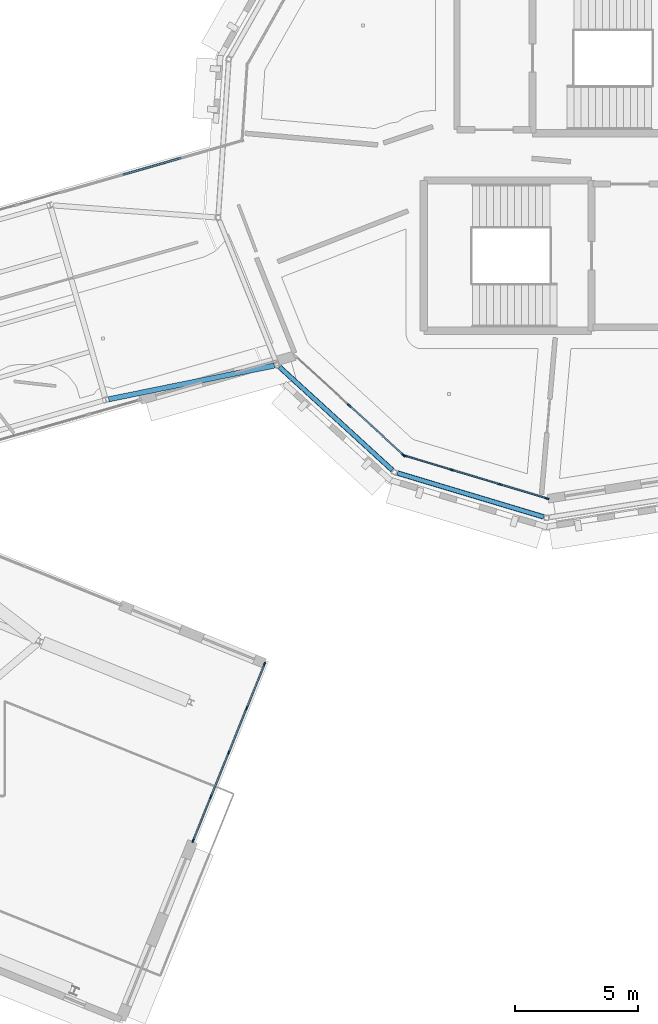
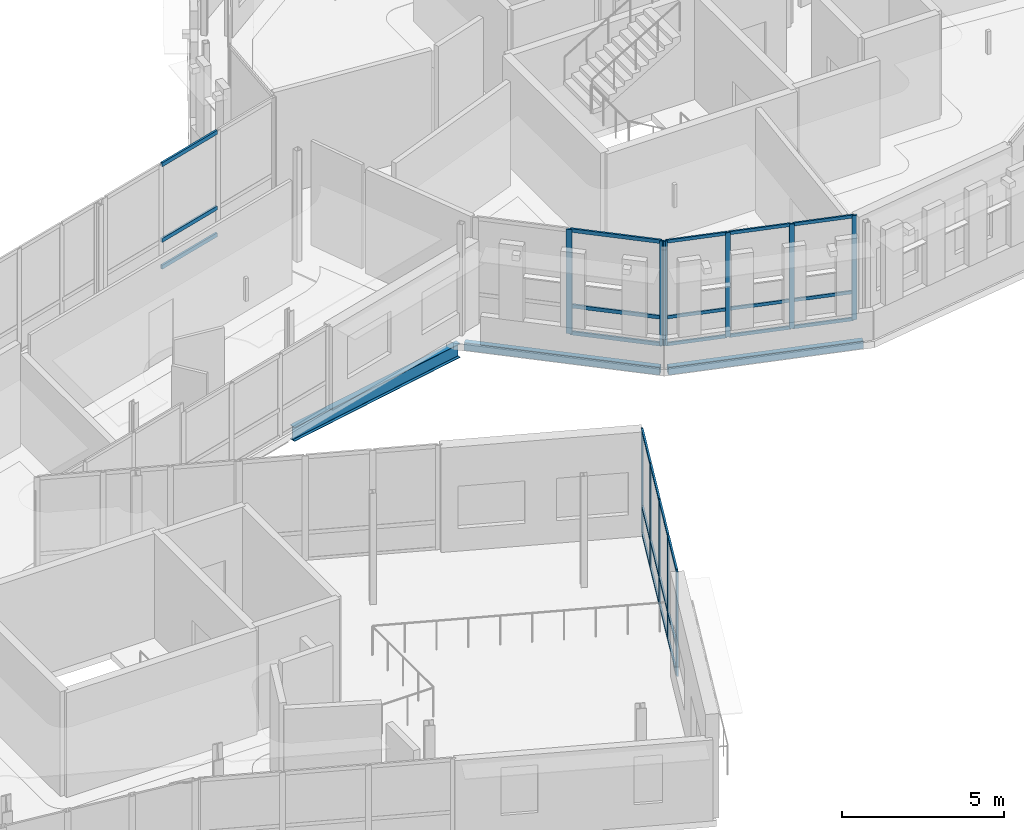
# One storey, part 47 of 125: 38 members, 3 beams, 4 elements without a shape of their own.
"""IFC4 building model written with IfcOpenShell, lengths in metres."""

from ifc_helpers import new_model, si_unit, direction, frame, origin, origin_2d, place, context, subcontext, project, spatial, rectangle, hollow_rectangle, i_section, extrude, material, material_profile, profile_set, type_object, element, aggregate, save


model = new_model("IFC4")

# Units and contexts
model_context = context("Model", 3, precision=1e-05, world=origin(), true_north=direction((0.0, 1.0)))
body_context = subcontext(model_context, "Body", "Model", "MODEL_VIEW")
ifc_project = project(units=[si_unit("LENGTHUNIT", "METRE"), si_unit("AREAUNIT", "SQUARE_METRE"), si_unit("VOLUMEUNIT", "CUBIC_METRE"), si_unit("PLANEANGLEUNIT", "RADIAN"), si_unit("MASSUNIT", "GRAM", prefix="KILO")], contexts=[model_context])

# Site, building, storey
site_placement = place(None, origin())
site = spatial("IfcSite", under=ifc_project, at=site_placement, CompositionType="ELEMENT")
building_placement = place(site_placement, origin())
building = spatial("IfcBuilding", under=site, at=building_placement, Name="Wrenclough Park School", CompositionType="ELEMENT")
storey_placement = place(building_placement, frame((0.0, 0.0, 4.199951171875)))
storey = spatial("IfcBuildingStorey", under=building, at=storey_placement, Name="L01", CompositionType="ELEMENT", Elevation=4.199951171875)

# Curtain wall, members
ifc_material_1 = material(Name="Thermally broken aluminium and low-e glass curtain wall", Category="aluminium")
curtain_wall_type_1 = type_object("IfcCurtainWallType", Name="ENV-CW-09", PredefinedType="USERDEFINED", material=ifc_material_1)
curtain_wall_1_placement = place(storey_placement, origin())
curtain_wall_1 = element("IfcCurtainWall", 1, at=curtain_wall_1_placement, inside=storey, type_object=curtain_wall_type_1, Name="L01 recessed curtain wall assembly 168", ObjectType="CURTAIN WALL", PredefinedType="USERDEFINED")
ifc_material_2 = material(Name="Thermally broken anodised aluminium", Category="aluminium")
ifc_material_profile_1 = material_profile(ifc_material_2, rectangle(XDim=0.06005859375, YDim=0.159912109375, at=origin_2d()), Name="AL MULLION 60x160")
ifc_profile_set_1 = profile_set([ifc_material_profile_1], Name="Thermally broken anodised aluminium")
member_type_1 = type_object("IfcMemberType", Name="ENV-CWM-1", PredefinedType="MULLION", material=ifc_profile_set_1)
member_1_placement = place(storey_placement, frame((82.04736328125, 94.864013671875, 0.0), z_axis=(0.0, 0.0, 1.0), x_axis=(-0.287583325168, -0.957755621798, 0.0)))
member_1 = element("IfcMember", 2, at=member_1_placement, type_object=member_type_1, Name="CW-09 mullion 1", PredefinedType="MULLION", context=body_context, shape_type="SweptSolid", body=[
    extrude(rectangle(XDim=0.06005859375, YDim=0.159912109375, at=origin_2d()), origin(), (0.0, 0.0, 1.0), 3.93994140625),
])
member_2_placement = place(storey_placement, frame((80.135498046875, 95.43798828125, 0.0), z_axis=(0.0, 0.0, 1.0), x_axis=(-0.287583325168, -0.957755621798, 0.0)))
member_2 = element("IfcMember", 3, at=member_2_placement, type_object=member_type_1, Name="CW-09 mullion 2", PredefinedType="MULLION", context=body_context, shape_type="SweptSolid", body=[
    extrude(rectangle(XDim=0.06005859375, YDim=0.159912109375, at=origin_2d()), origin(), (0.0, 0.0, 1.0), 3.93994140625),
])
member_3_placement = place(storey_placement, frame((78.19482421875, 96.020751953125, 0.0), z_axis=(0.0, 0.0, 1.0), x_axis=(-0.287583325168, -0.957755621798, 0.0)))
member_3 = element("IfcMember", 4, at=member_3_placement, type_object=member_type_1, Name="CW-09 mullion 3", PredefinedType="MULLION", context=body_context, shape_type="SweptSolid", body=[
    extrude(rectangle(XDim=0.06005859375, YDim=0.159912109375, at=origin_2d()), origin(), (0.0, 0.0, 1.0), 3.93994140625),
])
member_4_placement = place(storey_placement, frame((76.282958984375, 96.5947265625, 0.0), z_axis=(0.0, 0.0, 1.0), x_axis=(-0.287583325168, -0.957755621798, 0.0)))
member_4 = element("IfcMember", 5, at=member_4_placement, type_object=member_type_1, Name="CW-09 mullion 4", PredefinedType="MULLION", context=body_context, shape_type="SweptSolid", body=[
    extrude(rectangle(XDim=0.06005859375, YDim=0.159912109375, at=origin_2d()), origin(), (0.0, 0.0, 1.0), 3.93994140625),
])

curtain_wall_type_2 = type_object("IfcCurtainWallType", Name="ENV-CW-15", PredefinedType="USERDEFINED", material=ifc_material_1)
curtain_wall_2_placement = place(storey_placement, origin())
curtain_wall_2 = element("IfcCurtainWall", 6, at=curtain_wall_2_placement, inside=storey, type_object=curtain_wall_type_2, Name="L01 recessed curtain wall assembly 174", ObjectType="CURTAIN WALL", PredefinedType="USERDEFINED")
member_5_placement = place(storey_placement, frame((70.60205078125, 88.15673828125, 0.0), z_axis=(0.0, 0.0, 1.0), x_axis=(0.92719070923, -0.374589627082, 0.0)))
member_5 = element("IfcMember", 7, at=member_5_placement, type_object=member_type_1, Name="CW-15 mullion 1", PredefinedType="MULLION", context=body_context, shape_type="SweptSolid", body=[
    extrude(rectangle(XDim=0.06005859375, YDim=0.159912109375, at=origin_2d()), origin(), (0.0, 0.0, 1.0), 3.93994140625),
])
member_6_placement = place(storey_placement, frame((69.88525390625, 86.383056640625, 0.0), z_axis=(0.0, 0.0, 1.0), x_axis=(0.92719070923, -0.374589627082, 0.0)))
member_6 = element("IfcMember", 8, at=member_6_placement, type_object=member_type_1, Name="CW-15 mullion 2", PredefinedType="MULLION", context=body_context, shape_type="SweptSolid", body=[
    extrude(rectangle(XDim=0.06005859375, YDim=0.159912109375, at=origin_2d()), origin(), (0.0, 0.0, 1.0), 3.93994140625),
])
member_7_placement = place(storey_placement, frame((69.157470703125, 84.58154296875, 0.0), z_axis=(0.0, 0.0, 1.0), x_axis=(0.92719070923, -0.374589627082, 0.0)))
member_7 = element("IfcMember", 9, at=member_7_placement, type_object=member_type_1, Name="CW-15 mullion 3", PredefinedType="MULLION", context=body_context, shape_type="SweptSolid", body=[
    extrude(rectangle(XDim=0.06005859375, YDim=0.159912109375, at=origin_2d()), origin(), (0.0, 0.0, 1.0), 3.93994140625),
])
member_8_placement = place(storey_placement, frame((68.4296875, 82.780029296875, 0.0), z_axis=(0.0, 0.0, 1.0), x_axis=(0.92719070923, -0.374589627082, 0.0)))
member_8 = element("IfcMember", 10, at=member_8_placement, type_object=member_type_1, Name="CW-15 mullion 4", PredefinedType="MULLION", context=body_context, shape_type="SweptSolid", body=[
    extrude(rectangle(XDim=0.06005859375, YDim=0.159912109375, at=origin_2d()), origin(), (0.0, 0.0, 1.0), 3.93994140625),
])
member_9_placement = place(storey_placement, frame((67.713134765625, 81.00634765625, 0.0), z_axis=(0.0, 0.0, 1.0), x_axis=(0.92719070923, -0.374589627082, 0.0)))
member_9 = element("IfcMember", 11, at=member_9_placement, type_object=member_type_1, Name="CW-15 mullion 5", PredefinedType="MULLION", context=body_context, shape_type="SweptSolid", body=[
    extrude(rectangle(XDim=0.06005859375, YDim=0.159912109375, at=origin_2d()), origin(), (0.0, 0.0, 1.0), 3.93994140625),
])

curtain_wall_type_3 = type_object("IfcCurtainWallType", Name="ENV-CW-10", PredefinedType="USERDEFINED", material=ifc_material_1)
curtain_wall_3_placement = place(storey_placement, origin())
curtain_wall_3 = element("IfcCurtainWall", 12, at=curtain_wall_3_placement, inside=storey, type_object=curtain_wall_type_3, Name="L01 recessed curtain wall assembly 169", ObjectType="CURTAIN WALL", PredefinedType="USERDEFINED")
ifc_material_profile_2 = material_profile(ifc_material_2, rectangle(XDim=0.06494140625, YDim=0.179931640625, at=origin_2d()), Name="AL MULLION 65x180")
ifc_profile_set_2 = profile_set([ifc_material_profile_2], Name="Thermally broken anodised aluminium")
member_type_2 = type_object("IfcMemberType", Name="ENV-CWM-2", PredefinedType="MULLION", material=ifc_profile_set_2)
member_10_placement = place(storey_placement, frame((76.2236328125, 96.629150390625, 0.0), z_axis=(0.0, 0.0, 1.0), x_axis=(-0.67466857393, -0.738120799972, 0.0)))
member_10 = element("IfcMember", 13, at=member_10_placement, type_object=member_type_2, Name="CW-10 mullion 1", PredefinedType="MULLION", context=body_context, shape_type="SweptSolid", body=[
    extrude(rectangle(XDim=0.06494140625, YDim=0.179931640625, at=origin_2d()), origin(), (0.0, 0.0, 1.0), 3.93994140625),
])
member_11_placement = place(storey_placement, frame((74.038330078125, 98.62646484375, 0.0), z_axis=(0.0, 0.0, 1.0), x_axis=(-0.67466857393, -0.738120799972, 0.0)))
member_11 = element("IfcMember", 14, at=member_11_placement, type_object=member_type_2, Name="CW-10 mullion 2", PredefinedType="MULLION", context=body_context, shape_type="SweptSolid", body=[
    extrude(rectangle(XDim=0.06494140625, YDim=0.179931640625, at=origin_2d()), origin(), (0.0, 0.0, 1.0), 3.93994140625),
])

# Member
ifc_material_profile_3 = material_profile(ifc_material_2, rectangle(XDim=0.06005859375, YDim=0.1201171875, at=origin_2d()), Name="AL TRANSOM 60x120")
ifc_profile_set_3 = profile_set([ifc_material_profile_3], Name="Thermally broken anodised aluminium")
member_type_3 = type_object("IfcMemberType", Name="ENV-CWT-1", PredefinedType="USERDEFINED", material=ifc_profile_set_3)
member_12_placement = place(storey_placement, frame((82.0185546875, 94.87255859375, 0.030029296875), z_axis=(-0.957739474596, 0.287637095662, 0.0), x_axis=(-0.287637095662, -0.957739474596, 0.0)))
member_12 = element("IfcMember", 15, at=member_12_placement, type_object=member_type_3, Name="CW-09 transom 1.1", ObjectType="TRANSOM", PredefinedType="USERDEFINED", context=body_context, shape_type="SweptSolid", body=[
    extrude(rectangle(XDim=0.06005859375, YDim=0.1201171875, at=origin_2d()), origin(), (0.0, 0.0, 1.0), 1.93603515625),
])

member_13_placement = place(storey_placement, frame((82.0185546875, 94.87255859375, 1.050048828125), z_axis=(-0.957739474596, 0.287637095662, 0.0), x_axis=(-0.287637095662, -0.957739474596, 0.0)))
member_13 = element("IfcMember", 16, at=member_13_placement, type_object=member_type_3, Name="CW-09 transom 1.2", ObjectType="TRANSOM", PredefinedType="USERDEFINED", context=body_context, shape_type="SweptSolid", body=[
    extrude(rectangle(XDim=0.06005859375, YDim=0.1201171875, at=origin_2d()), origin(), (0.0, 0.0, 1.0), 1.93603515625),
])

member_14_placement = place(storey_placement, frame((82.0185546875, 94.87255859375, 3.91015625), z_axis=(-0.957739474596, 0.287637095662, 0.0), x_axis=(-0.287637095662, -0.957739474596, 0.0)))
member_14 = element("IfcMember", 17, at=member_14_placement, type_object=member_type_3, Name="CW-09 transom 1.3", ObjectType="TRANSOM", PredefinedType="USERDEFINED", context=body_context, shape_type="SweptSolid", body=[
    extrude(rectangle(XDim=0.06005859375, YDim=0.1201171875, at=origin_2d()), origin(), (0.0, 0.0, 1.0), 1.93603515625),
])

member_15_placement = place(storey_placement, frame((80.106689453125, 95.446533203125, 0.030029296875), z_axis=(-0.957754485019, 0.287587111021, 0.0), x_axis=(-0.287587111021, -0.957754485019, 0.0)))
member_15 = element("IfcMember", 18, at=member_15_placement, type_object=member_type_3, Name="CW-09 transom 2.1", ObjectType="TRANSOM", PredefinedType="USERDEFINED", context=body_context, shape_type="SweptSolid", body=[
    extrude(rectangle(XDim=0.06005859375, YDim=0.1201171875, at=origin_2d()), origin(), (0.0, 0.0, 1.0), 1.966064453125),
])

member_16_placement = place(storey_placement, frame((80.106689453125, 95.446533203125, 1.050048828125), z_axis=(-0.957754485019, 0.287587111021, 0.0), x_axis=(-0.287587111021, -0.957754485019, 0.0)))
member_16 = element("IfcMember", 19, at=member_16_placement, type_object=member_type_3, Name="CW-09 transom 2.2", ObjectType="TRANSOM", PredefinedType="USERDEFINED", context=body_context, shape_type="SweptSolid", body=[
    extrude(rectangle(XDim=0.06005859375, YDim=0.1201171875, at=origin_2d()), origin(), (0.0, 0.0, 1.0), 1.966064453125),
])

member_17_placement = place(storey_placement, frame((80.106689453125, 95.446533203125, 3.91015625), z_axis=(-0.957754485019, 0.287587111021, 0.0), x_axis=(-0.287587111021, -0.957754485019, 0.0)))
member_17 = element("IfcMember", 20, at=member_17_placement, type_object=member_type_3, Name="CW-09 transom 2.3", ObjectType="TRANSOM", PredefinedType="USERDEFINED", context=body_context, shape_type="SweptSolid", body=[
    extrude(rectangle(XDim=0.06005859375, YDim=0.1201171875, at=origin_2d()), origin(), (0.0, 0.0, 1.0), 1.966064453125),
])

member_18_placement = place(storey_placement, frame((78.166259765625, 96.029296875, 0.030029296875), z_axis=(-0.957749905711, 0.287602361101, 0.0), x_axis=(-0.287602361101, -0.957749905711, 0.0)))
member_18 = element("IfcMember", 21, at=member_18_placement, type_object=member_type_3, Name="CW-09 transom 3.1", ObjectType="TRANSOM", PredefinedType="USERDEFINED", context=body_context, shape_type="SweptSolid", body=[
    extrude(rectangle(XDim=0.06005859375, YDim=0.1201171875, at=origin_2d()), origin(), (0.0, 0.0, 1.0), 1.936279296875),
])

member_19_placement = place(storey_placement, frame((78.166259765625, 96.029296875, 1.050048828125), z_axis=(-0.957749905711, 0.287602361101, 0.0), x_axis=(-0.287602361101, -0.957749905711, 0.0)))
member_19 = element("IfcMember", 22, at=member_19_placement, type_object=member_type_3, Name="CW-09 transom 3.2", ObjectType="TRANSOM", PredefinedType="USERDEFINED", context=body_context, shape_type="SweptSolid", body=[
    extrude(rectangle(XDim=0.06005859375, YDim=0.1201171875, at=origin_2d()), origin(), (0.0, 0.0, 1.0), 1.936279296875),
])

member_20_placement = place(storey_placement, frame((78.166259765625, 96.029296875, 3.91015625), z_axis=(-0.957749905711, 0.287602361101, 0.0), x_axis=(-0.287602361101, -0.957749905711, 0.0)))
member_20 = element("IfcMember", 23, at=member_20_placement, type_object=member_type_3, Name="CW-09 transom 3.3", ObjectType="TRANSOM", PredefinedType="USERDEFINED", context=body_context, shape_type="SweptSolid", body=[
    extrude(rectangle(XDim=0.06005859375, YDim=0.1201171875, at=origin_2d()), origin(), (0.0, 0.0, 1.0), 1.936279296875),
])

aggregate(curtain_wall_1, [member_1, member_2, member_3, member_4, member_12, member_13, member_14, member_15, member_16, member_17, member_18, member_19, member_20])

member_21_placement = place(storey_placement, frame((70.5908203125, 88.12890625, 0.030029296875), z_axis=(-0.374591579362, -0.927189920497, 0.0), x_axis=(0.927189920497, -0.374591579362, 0.0)))
member_21 = element("IfcMember", 24, at=member_21_placement, type_object=member_type_3, Name="CW-15 transom 1.1", ObjectType="TRANSOM", PredefinedType="USERDEFINED", context=body_context, shape_type="SweptSolid", body=[
    extrude(rectangle(XDim=0.06005859375, YDim=0.1201171875, at=origin_2d()), origin(), (0.0, 0.0, 1.0), 1.85302734375),
])

member_22_placement = place(storey_placement, frame((70.5908203125, 88.12890625, 1.050048828125), z_axis=(-0.374591579362, -0.927189920497, 0.0), x_axis=(0.927189920497, -0.374591579362, 0.0)))
member_22 = element("IfcMember", 25, at=member_22_placement, type_object=member_type_3, Name="CW-15 transom 1.2", ObjectType="TRANSOM", PredefinedType="USERDEFINED", context=body_context, shape_type="SweptSolid", body=[
    extrude(rectangle(XDim=0.06005859375, YDim=0.1201171875, at=origin_2d()), origin(), (0.0, 0.0, 1.0), 1.85302734375),
])

member_23_placement = place(storey_placement, frame((70.5908203125, 88.12890625, 3.91015625), z_axis=(-0.374591579362, -0.927189920497, 0.0), x_axis=(0.927189920497, -0.374591579362, 0.0)))
member_23 = element("IfcMember", 26, at=member_23_placement, type_object=member_type_3, Name="CW-15 transom 1.3", ObjectType="TRANSOM", PredefinedType="USERDEFINED", context=body_context, shape_type="SweptSolid", body=[
    extrude(rectangle(XDim=0.06005859375, YDim=0.1201171875, at=origin_2d()), origin(), (0.0, 0.0, 1.0), 1.85302734375),
])

member_24_placement = place(storey_placement, frame((69.8740234375, 86.355224609375, 0.030029296875), z_axis=(-0.374585243386, -0.927192480253, 0.0), x_axis=(0.927192480253, -0.374585243386, 0.0)))
member_24 = element("IfcMember", 27, at=member_24_placement, type_object=member_type_3, Name="CW-15 transom 2.1", ObjectType="TRANSOM", PredefinedType="USERDEFINED", context=body_context, shape_type="SweptSolid", body=[
    extrude(rectangle(XDim=0.06005859375, YDim=0.1201171875, at=origin_2d()), origin(), (0.0, 0.0, 1.0), 1.883056640625),
])

member_25_placement = place(storey_placement, frame((69.8740234375, 86.355224609375, 1.050048828125), z_axis=(-0.374585243386, -0.927192480253, 0.0), x_axis=(0.927192480253, -0.374585243386, 0.0)))
member_25 = element("IfcMember", 28, at=member_25_placement, type_object=member_type_3, Name="CW-15 transom 2.2", ObjectType="TRANSOM", PredefinedType="USERDEFINED", context=body_context, shape_type="SweptSolid", body=[
    extrude(rectangle(XDim=0.06005859375, YDim=0.1201171875, at=origin_2d()), origin(), (0.0, 0.0, 1.0), 1.883056640625),
])

member_26_placement = place(storey_placement, frame((69.8740234375, 86.355224609375, 3.91015625), z_axis=(-0.374585243386, -0.927192480253, 0.0), x_axis=(0.927192480253, -0.374585243386, 0.0)))
member_26 = element("IfcMember", 29, at=member_26_placement, type_object=member_type_3, Name="CW-15 transom 2.3", ObjectType="TRANSOM", PredefinedType="USERDEFINED", context=body_context, shape_type="SweptSolid", body=[
    extrude(rectangle(XDim=0.06005859375, YDim=0.1201171875, at=origin_2d()), origin(), (0.0, 0.0, 1.0), 1.883056640625),
])

member_27_placement = place(storey_placement, frame((69.146240234375, 84.5537109375, 0.030029296875), z_axis=(-0.374585243386, -0.927192480253, 0.0), x_axis=(0.927192480253, -0.374585243386, 0.0)))
member_27 = element("IfcMember", 30, at=member_27_placement, type_object=member_type_3, Name="CW-15 transom 3.1", ObjectType="TRANSOM", PredefinedType="USERDEFINED", context=body_context, shape_type="SweptSolid", body=[
    extrude(rectangle(XDim=0.06005859375, YDim=0.1201171875, at=origin_2d()), origin(), (0.0, 0.0, 1.0), 1.883056640625),
])

member_28_placement = place(storey_placement, frame((69.146240234375, 84.5537109375, 1.050048828125), z_axis=(-0.374585243386, -0.927192480253, 0.0), x_axis=(0.927192480253, -0.374585243386, 0.0)))
member_28 = element("IfcMember", 31, at=member_28_placement, type_object=member_type_3, Name="CW-15 transom 3.2", ObjectType="TRANSOM", PredefinedType="USERDEFINED", context=body_context, shape_type="SweptSolid", body=[
    extrude(rectangle(XDim=0.06005859375, YDim=0.1201171875, at=origin_2d()), origin(), (0.0, 0.0, 1.0), 1.883056640625),
])

member_29_placement = place(storey_placement, frame((69.146240234375, 84.5537109375, 3.91015625), z_axis=(-0.374585243386, -0.927192480253, 0.0), x_axis=(0.927192480253, -0.374585243386, 0.0)))
member_29 = element("IfcMember", 32, at=member_29_placement, type_object=member_type_3, Name="CW-15 transom 3.3", ObjectType="TRANSOM", PredefinedType="USERDEFINED", context=body_context, shape_type="SweptSolid", body=[
    extrude(rectangle(XDim=0.06005859375, YDim=0.1201171875, at=origin_2d()), origin(), (0.0, 0.0, 1.0), 1.883056640625),
])

member_30_placement = place(storey_placement, frame((68.41845703125, 82.752197265625, 0.030029296875), z_axis=(-0.374591579362, -0.927189920497, 0.0), x_axis=(0.927189920497, -0.374591579362, 0.0)))
member_30 = element("IfcMember", 33, at=member_30_placement, type_object=member_type_3, Name="CW-15 transom 4.1", ObjectType="TRANSOM", PredefinedType="USERDEFINED", context=body_context, shape_type="SweptSolid", body=[
    extrude(rectangle(XDim=0.06005859375, YDim=0.1201171875, at=origin_2d()), origin(), (0.0, 0.0, 1.0), 1.85302734375),
])

member_31_placement = place(storey_placement, frame((68.41845703125, 82.752197265625, 1.050048828125), z_axis=(-0.374591579362, -0.927189920497, 0.0), x_axis=(0.927189920497, -0.374591579362, 0.0)))
member_31 = element("IfcMember", 34, at=member_31_placement, type_object=member_type_3, Name="CW-15 transom 4.2", ObjectType="TRANSOM", PredefinedType="USERDEFINED", context=body_context, shape_type="SweptSolid", body=[
    extrude(rectangle(XDim=0.06005859375, YDim=0.1201171875, at=origin_2d()), origin(), (0.0, 0.0, 1.0), 1.85302734375),
])

member_32_placement = place(storey_placement, frame((68.41845703125, 82.752197265625, 3.91015625), z_axis=(-0.374591579362, -0.927189920497, 0.0), x_axis=(0.927189920497, -0.374591579362, 0.0)))
member_32 = element("IfcMember", 35, at=member_32_placement, type_object=member_type_3, Name="CW-15 transom 4.3", ObjectType="TRANSOM", PredefinedType="USERDEFINED", context=body_context, shape_type="SweptSolid", body=[
    extrude(rectangle(XDim=0.06005859375, YDim=0.1201171875, at=origin_2d()), origin(), (0.0, 0.0, 1.0), 1.85302734375),
])

aggregate(curtain_wall_2, [member_5, member_6, member_7, member_8, member_9, member_21, member_22, member_23, member_24, member_25, member_26, member_27, member_28, member_29, member_30, member_31, member_32])

ifc_material_profile_4 = material_profile(ifc_material_2, rectangle(XDim=0.06494140625, YDim=0.139892578125, at=origin_2d()), Name="AL TRANSOM 65x140")
ifc_profile_set_4 = profile_set([ifc_material_profile_4], Name="Thermally broken anodised aluminium")
member_type_4 = type_object("IfcMemberType", Name="ENV-CWT-2", PredefinedType="USERDEFINED", material=ifc_profile_set_4)
member_33_placement = place(storey_placement, frame((76.199462890625, 96.651123046875, 0.032470703125), z_axis=(-0.738101997334, 0.67468914437, 0.0), x_axis=(-0.67468914437, -0.738101997334, 0.0)))
member_33 = element("IfcMember", 36, at=member_33_placement, type_object=member_type_4, Name="CW-10 transom 1.1", ObjectType="TRANSOM", PredefinedType="USERDEFINED", context=body_context, shape_type="SweptSolid", body=[
    extrude(rectangle(XDim=0.06494140625, YDim=0.139892578125, at=origin_2d()), origin(), (0.0, 0.0, 1.0), 2.895263671875),
])

member_34_placement = place(storey_placement, frame((76.199462890625, 96.651123046875, 1.050048828125), z_axis=(-0.738101997334, 0.67468914437, 0.0), x_axis=(-0.67468914437, -0.738101997334, 0.0)))
member_34 = element("IfcMember", 37, at=member_34_placement, type_object=member_type_4, Name="CW-10 transom 1.2", ObjectType="TRANSOM", PredefinedType="USERDEFINED", context=body_context, shape_type="SweptSolid", body=[
    extrude(rectangle(XDim=0.06494140625, YDim=0.139892578125, at=origin_2d()), origin(), (0.0, 0.0, 1.0), 2.895263671875),
])

member_35_placement = place(storey_placement, frame((76.199462890625, 96.651123046875, 3.907470703125), z_axis=(-0.738101997334, 0.67468914437, 0.0), x_axis=(-0.67468914437, -0.738101997334, 0.0)))
member_35 = element("IfcMember", 38, at=member_35_placement, type_object=member_type_4, Name="CW-10 transom 1.3", ObjectType="TRANSOM", PredefinedType="USERDEFINED", context=body_context, shape_type="SweptSolid", body=[
    extrude(rectangle(XDim=0.06494140625, YDim=0.139892578125, at=origin_2d()), origin(), (0.0, 0.0, 1.0), 2.895263671875),
])

aggregate(curtain_wall_3, [member_10, member_11, member_33, member_34, member_35])

# Curtain wall, members
curtain_wall_type_4 = type_object("IfcCurtainWallType", Name="ENV-CW-06", PredefinedType="USERDEFINED", material=ifc_material_1)
curtain_wall_4_placement = place(storey_placement, origin())
curtain_wall_4 = element("IfcCurtainWall", 39, at=curtain_wall_4_placement, inside=storey, type_object=curtain_wall_type_4, Name="L01 recessed curtain wall assembly 101", ObjectType="CURTAIN WALL", PredefinedType="USERDEFINED")
ifc_material_profile_5 = material_profile(ifc_material_2, rectangle(XDim=0.070068359375, YDim=0.14990234375, at=origin_2d()), Name="AL TRANSOM 70x150")
ifc_profile_set_5 = profile_set([ifc_material_profile_5], Name="Thermally broken anodised aluminium")
member_type_5 = type_object("IfcMemberType", Name="ENV-CWT-3", PredefinedType="USERDEFINED", material=ifc_profile_set_5)
member_36_placement = place(storey_placement, frame((64.872802734375, 107.97998046875, 0.03515625), z_axis=(0.961508918927, 0.274773722949, 0.0), x_axis=(-0.274773722949, 0.961508918927, 0.0)))
member_36 = element("IfcMember", 40, at=member_36_placement, type_object=member_type_5, Name="CW-06 transom 2.1", ObjectType="TRANSOM", PredefinedType="USERDEFINED", context=body_context, shape_type="SweptSolid", body=[
    extrude(rectangle(XDim=0.070068359375, YDim=0.14990234375, at=origin_2d()), origin(), (0.0, 0.0, 1.0), 2.452392578125),
])
member_37_placement = place(storey_placement, frame((64.872802734375, 107.97998046875, 1.050048828125), z_axis=(0.961508918927, 0.274773722949, 0.0), x_axis=(-0.274773722949, 0.961508918927, 0.0)))
member_37 = element("IfcMember", 41, at=member_37_placement, type_object=member_type_5, Name="CW-06 transom 2.2", ObjectType="TRANSOM", PredefinedType="USERDEFINED", context=body_context, shape_type="SweptSolid", body=[
    extrude(rectangle(XDim=0.070068359375, YDim=0.14990234375, at=origin_2d()), origin(), (0.0, 0.0, 1.0), 2.452392578125),
])
member_38_placement = place(storey_placement, frame((64.872802734375, 107.97998046875, 3.905029296875), z_axis=(0.961508918927, 0.274773722949, 0.0), x_axis=(-0.274773722949, 0.961508918927, 0.0)))
member_38 = element("IfcMember", 42, at=member_38_placement, type_object=member_type_5, Name="CW-06 transom 2.3", ObjectType="TRANSOM", PredefinedType="USERDEFINED", context=body_context, shape_type="SweptSolid", body=[
    extrude(rectangle(XDim=0.070068359375, YDim=0.14990234375, at=origin_2d()), origin(), (0.0, 0.0, 1.0), 2.452392578125),
])
aggregate(curtain_wall_4, [member_36, member_37, member_38])

# Beams
ifc_material_3 = material(Name="Structural steel S355", Category="steel")
ifc_material_profile_6 = material_profile(ifc_material_3, hollow_rectangle(XDim=0.199951171875, YDim=0.300048828125, WallThickness=0.012451171875, InnerFilletRadius=0.012451171875, OuterFilletRadius=0.018798828125, at=origin_2d()), Name="RHS 300x200x12.5")
ifc_profile_set_6 = profile_set([ifc_material_profile_6], Name="Structural steel S355")
beam_type_1 = type_object("IfcBeamType", Name="STR-BM-RHS300", PredefinedType="SPANDREL", material=ifc_profile_set_6)
for number, where, z_axis, x_axis, name in (
    (43, (71.210693359375, 100.18994140625, -0.39990234375), (0.73812082797, -0.674668543298, 0.0), (0.674668543298, 0.73812082797, 0.0), "D4 L01 outer ring spandrel beam 9"),
    (44, (75.983642578125, 95.897705078125, -0.39990234375), (0.957751362877, -0.287597508521, 0.0), (0.287597508521, 0.957751362877, 0.0), "D4 L01 outer ring spandrel beam 10"),
):
    element("IfcBeam", number, at=place(storey_placement, frame(where, z_axis=z_axis, x_axis=x_axis)), inside=storey, type_object=beam_type_1, Name=name, PredefinedType="SPANDREL", context=body_context, shape_type="SweptSolid", body=[
        extrude(hollow_rectangle(XDim=0.199951171875, YDim=0.300048828125, WallThickness=0.012451171875, InnerFilletRadius=0.012451171875, OuterFilletRadius=0.018798828125, at=origin_2d()), origin(), (0.0, 0.0, 1.0), 6.19091796875),
    ])
ifc_material_profile_7 = material_profile(ifc_material_3, i_section(OverallWidth=0.209228515625, OverallDepth=0.533203125, WebThickness=0.010009765625, FlangeThickness=0.015625, FilletRadius=0.0126953125, at=origin_2d()), Name="UKB 533x210x92")
ifc_profile_set_7 = profile_set([ifc_material_profile_7], Name="Structural steel S355")
beam_type_2 = type_object("IfcBeamType", Name="STR-BM-UKB533A", PredefinedType="BEAM", material=ifc_profile_set_7)
beam_placement = place(storey_placement, frame((64.296142578125, 98.882080078125, -0.516357421875), z_axis=(0.979919540292, 0.19939331622, 0.0), x_axis=(-0.19939331622, 0.979919540292, 0.0)))
element("IfcBeam", 45, at=beam_placement, inside=storey, type_object=beam_type_2, Name="W34 L01 drum junction tie beam 27", PredefinedType="BEAM", context=body_context, shape_type="SweptSolid", body=[
    extrude(i_section(OverallWidth=0.209228515625, OverallDepth=0.533203125, WebThickness=0.010009765625, FlangeThickness=0.015625, FilletRadius=0.0126953125, at=origin_2d()), origin(), (0.0, 0.0, 1.0), 6.845703125),
])

save(model, "model.ifc")
